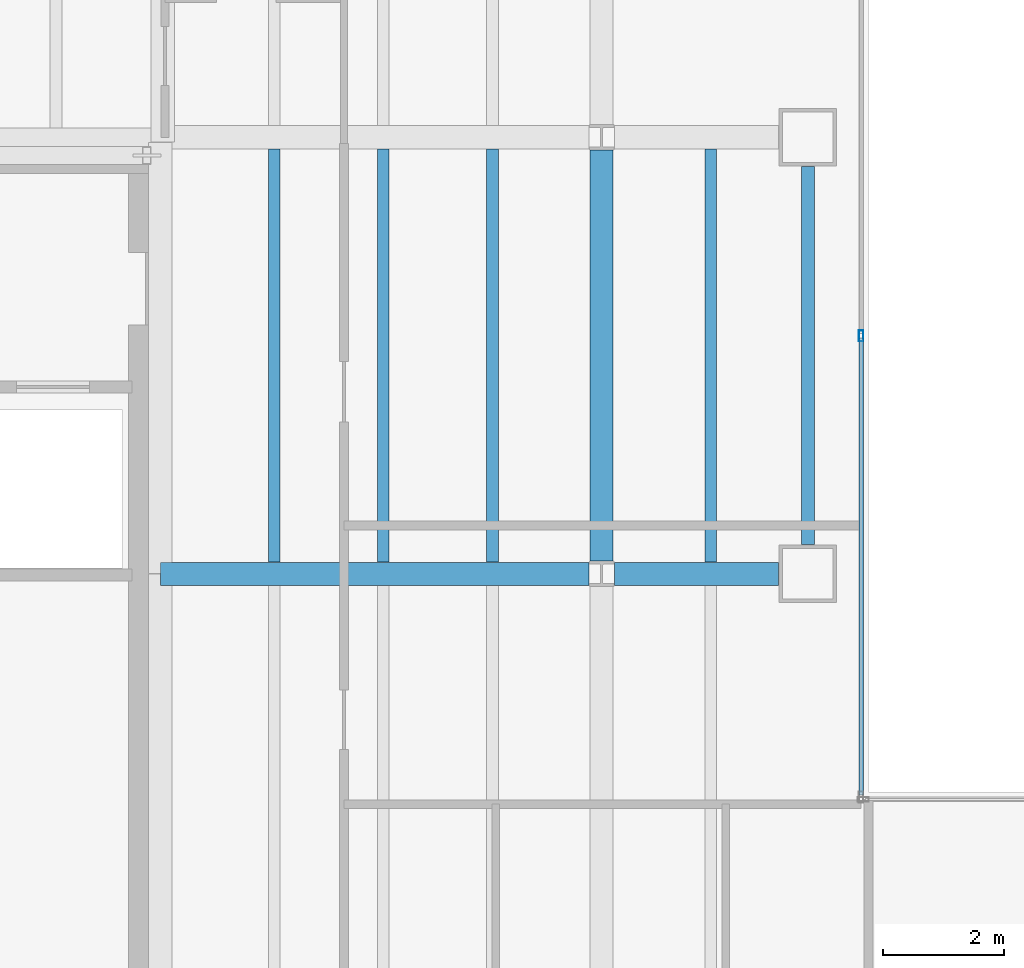
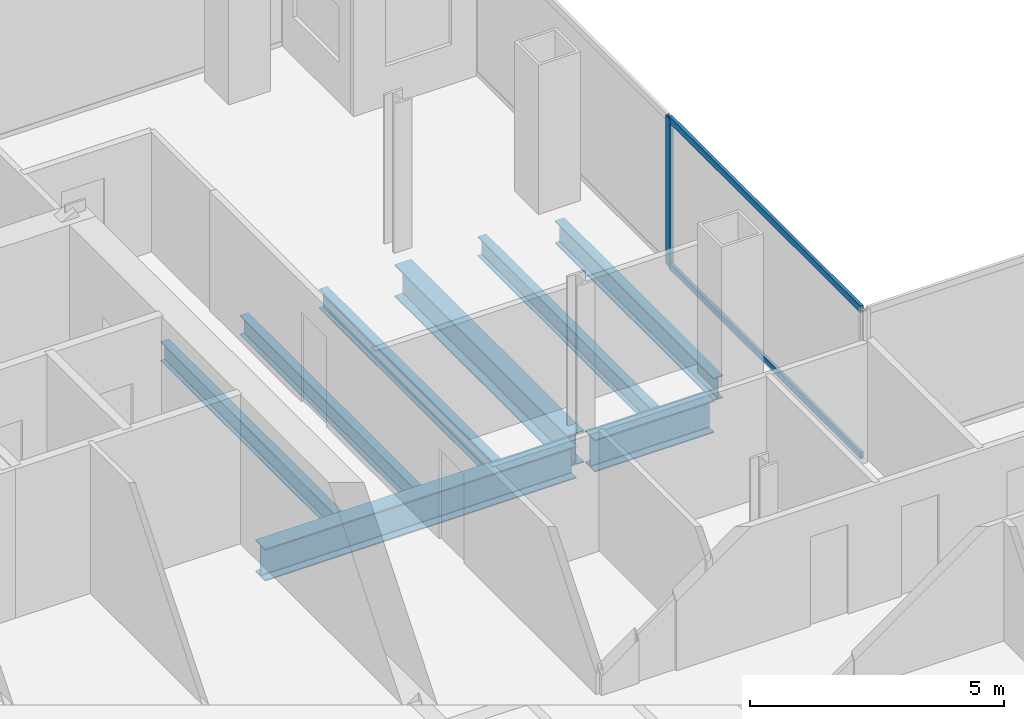
# One storey, part 8 of 23: 8 beams, 3 members, 1 element without a shape of its own.
"""IFC4 building model written with IfcOpenShell, lengths in metres."""

from ifc_helpers import new_model, si_unit, direction, frame, origin, origin_2d, place, context, subcontext, project, spatial, hollow_rectangle, i_section, extrude, material, material_profile, profile_set, type_object, element, aggregate, save


model = new_model("IFC4")

# Units and contexts
model_context = context("Model", 3, precision=1e-05, world=origin(), true_north=direction((0.0, 1.0)))
body_context = subcontext(model_context, "Body", "Model", "MODEL_VIEW")
ifc_project = project(units=[si_unit("LENGTHUNIT", "METRE"), si_unit("AREAUNIT", "SQUARE_METRE"), si_unit("VOLUMEUNIT", "CUBIC_METRE"), si_unit("PLANEANGLEUNIT", "RADIAN"), si_unit("MASSUNIT", "GRAM", prefix="KILO")], contexts=[model_context])

# Site, building, storey
site_placement = place(None, origin())
site = spatial("IfcSite", under=ifc_project, at=site_placement, CompositionType="ELEMENT")
building_placement = place(site_placement, origin())
building = spatial("IfcBuilding", under=site, at=building_placement, Name="Cobrela Telecom Tower", CompositionType="ELEMENT")
storey_placement = place(building_placement, frame((0.0, 0.0, 113.75)))
storey = spatial("IfcBuildingStorey", under=building, at=storey_placement, Name="L28", CompositionType="ELEMENT", Elevation=113.75)

# Beams
ifc_material_1 = material(Name="Steel ASTM A992 Grade 50", Category="steel")
ifc_material_profile_1 = material_profile(ifc_material_1, i_section(OverallWidth=0.381103515625, OverallDepth=0.77197265625, WebThickness=0.0166015625, FlangeThickness=0.027099609375, FilletRadius=0.01904296875, at=origin_2d()), Name="W30X173")
ifc_profile_set_1 = profile_set([ifc_material_profile_1], Name="Steel ASTM A992 Grade 50")
beam_type_1 = type_object("IfcBeamType", Name="BM-GIRD-04", PredefinedType="USERDEFINED", material=ifc_profile_set_1)
beam_1_placement = place(storey_placement, frame((14.324951171875, 28.800048828125, -0.656005859375), z_axis=(1.0, 0.0, 0.0), x_axis=(0.0, 1.0, 0.0)))
element("IfcBeam", 1, at=beam_1_placement, inside=storey, type_object=beam_type_1, Name="L28 Primary Girder X23", ObjectType="GIRDER", PredefinedType="USERDEFINED", context=body_context, shape_type="SweptSolid", body=[
    extrude(i_section(OverallWidth=0.381103515625, OverallDepth=0.77197265625, WebThickness=0.0166015625, FlangeThickness=0.027099609375, FilletRadius=0.01904296875, at=origin_2d()), origin(), (0.0, 0.0, 1.0), 7.0654296875),
])
beam_2_placement = place(storey_placement, frame((21.8095703125, 28.800048828125, -0.656005859375), z_axis=(1.0, 0.0, 0.0), x_axis=(0.0, 1.0, 0.0)))
element("IfcBeam", 2, at=beam_2_placement, inside=storey, type_object=beam_type_1, Name="L28 Primary Girder X24", ObjectType="GIRDER", PredefinedType="USERDEFINED", context=body_context, shape_type="SweptSolid", body=[
    extrude(i_section(OverallWidth=0.381103515625, OverallDepth=0.77197265625, WebThickness=0.0166015625, FlangeThickness=0.027099609375, FilletRadius=0.01904296875, at=origin_2d()), origin(), (0.0, 0.0, 1.0), 2.71044921875),
])
beam_3_placement = place(storey_placement, frame((21.60009765625, 29.009521484375, -0.656005859375), z_axis=(0.0, 1.0, 0.0), x_axis=(-1.0, 0.0, 0.0)))
element("IfcBeam", 3, at=beam_3_placement, inside=storey, type_object=beam_type_1, Name="L28 Primary Girder Y43", ObjectType="GIRDER", PredefinedType="USERDEFINED", context=body_context, shape_type="SweptSolid", body=[
    extrude(i_section(OverallWidth=0.381103515625, OverallDepth=0.77197265625, WebThickness=0.0166015625, FlangeThickness=0.027099609375, FilletRadius=0.01904296875, at=origin_2d()), origin(), (0.0, 0.0, 1.0), 6.781005859375),
])
ifc_material_profile_2 = material_profile(ifc_material_1, i_section(OverallWidth=0.193115234375, OverallDepth=0.467041015625, WebThickness=0.011474609375, FlangeThickness=0.01904296875, FilletRadius=0.012939453125, at=origin_2d()), Name="W18X65")
ifc_profile_set_2 = profile_set([ifc_material_profile_2], Name="Steel ASTM A992 Grade 50")
beam_type_2 = type_object("IfcBeamType", Name="BM-JOIST-03", PredefinedType="JOIST", material=ifc_profile_set_2)
for number, where, z_axis, x_axis, name in (
    (4, (16.199951171875, 28.99560546875, -0.50341796875), (0.0, 1.0, 0.0), (-1.0, 0.0, 0.0), "L28 Secondary Composite Floor Beam J07"),
    (5, (18.0, 28.99560546875, -0.50341796875), (0.0, 1.0, 0.0), (-1.0, 0.0, 0.0), "L28 Secondary Composite Floor Beam J12"),
    (6, (19.800048828125, 28.99560546875, -0.50341796875), (0.0, 1.0, 0.0), (-1.0, 0.0, 0.0), "L28 Secondary Composite Floor Beam J17"),
    (7, (23.39990234375, 28.99560546875, -0.50341796875), (0.0, 1.0, 0.0), (-1.0, 0.0, 0.0), "L28 Secondary Composite Floor Beam J22"),
):
    element("IfcBeam", number, at=place(storey_placement, frame(where, z_axis=z_axis, x_axis=x_axis)), inside=storey, type_object=beam_type_2, Name=name, PredefinedType="JOIST", context=body_context, shape_type="SweptSolid", body=[
        extrude(i_section(OverallWidth=0.193115234375, OverallDepth=0.467041015625, WebThickness=0.011474609375, FlangeThickness=0.01904296875, FilletRadius=0.012939453125, at=origin_2d()), origin(), (0.0, 0.0, 1.0), 6.808837890625),
    ])
ifc_material_profile_3 = material_profile(ifc_material_1, i_section(OverallWidth=0.212890625, OverallDepth=0.549072265625, WebThickness=0.0146484375, FlangeThickness=0.023681640625, FilletRadius=0.013916015625, at=origin_2d()), Name="W21X93")
ifc_profile_set_3 = profile_set([ifc_material_profile_3], Name="Steel ASTM A992 Grade 50")
beam_type_3 = type_object("IfcBeamType", Name="BM-SPAND-03", PredefinedType="SPANDREL", material=ifc_profile_set_3)
beam_4_placement = place(storey_placement, frame((25.0, 29.280029296875, -0.54443359375), z_axis=(0.0, 1.0, 0.0), x_axis=(-1.0, 0.0, 0.0)))
element("IfcBeam", 8, at=beam_4_placement, inside=storey, type_object=beam_type_3, Name="L28 Perimeter Spandrel Y45", PredefinedType="SPANDREL", context=body_context, shape_type="SweptSolid", body=[
    extrude(i_section(OverallWidth=0.212890625, OverallDepth=0.549072265625, WebThickness=0.0146484375, FlangeThickness=0.023681640625, FilletRadius=0.013916015625, at=origin_2d()), origin(), (0.0, 0.0, 1.0), 6.239990234375),
])

# Curtain wall, members
ifc_material_2 = material(Name="Anodized Bronze Aluminium 6063-T6", Category="aluminium")
curtain_wall_type = type_object("IfcCurtainWallType", Name="CW-SYS-TEL", PredefinedType="USERDEFINED", material=ifc_material_2)
curtain_wall_placement = place(storey_placement, origin())
curtain_wall = element("IfcCurtainWall", 9, at=curtain_wall_placement, inside=storey, type_object=curtain_wall_type, Name="L28 Unitised Bronze Curtain Wall 10", ObjectType="UNITISED CURTAIN WALL", PredefinedType="USERDEFINED")
ifc_material_profile_4 = material_profile(ifc_material_2, hollow_rectangle(XDim=0.074951171875, YDim=0.179931640625, WallThickness=0.00390625, at=origin_2d()), Name="ALU 75x180x4")
ifc_profile_set_4 = profile_set([ifc_material_profile_4], Name="Anodized Bronze Aluminium 6063-T6")
member_type_1 = type_object("IfcMemberType", Name="CW-SYS-TEL-MUL", PredefinedType="MULLION", material=ifc_profile_set_4)
member_1_placement = place(storey_placement, frame((25.8798828125, 32.72509765625, 0.0), z_axis=(0.0, 0.0, 1.0), x_axis=(1.0, 0.0, 0.0)))
member_1 = element("IfcMember", 10, at=member_1_placement, type_object=member_type_1, Name="CW-TEL mullion 2", PredefinedType="MULLION", context=body_context, shape_type="SweptSolid", body=[
    extrude(hollow_rectangle(XDim=0.074951171875, YDim=0.179931640625, WallThickness=0.00390625, at=origin_2d()), origin(), (0.0, 0.0, 1.0), 3.580078125),
])
ifc_material_profile_5 = material_profile(ifc_material_2, hollow_rectangle(XDim=0.070068359375, YDim=0.159912109375, WallThickness=0.00390625, at=origin_2d()), Name="ALU 70x160x4")
ifc_profile_set_5 = profile_set([ifc_material_profile_5], Name="Anodized Bronze Aluminium 6063-T6")
member_type_2 = type_object("IfcMemberType", Name="CW-SYS-TEL-TRN", PredefinedType="USERDEFINED", material=ifc_profile_set_5)
member_2_placement = place(storey_placement, frame((25.8798828125, 32.6875, 0.034912109375), z_axis=(0.0, -1.0, 0.0), x_axis=(1.0, 0.0, 0.0)))
member_2 = element("IfcMember", 11, at=member_2_placement, type_object=member_type_2, Name="CW-TEL transom 2.1", ObjectType="TRANSOM", PredefinedType="USERDEFINED", context=body_context, shape_type="SweptSolid", body=[
    extrude(hollow_rectangle(XDim=0.070068359375, YDim=0.159912109375, WallThickness=0.00390625, at=origin_2d()), origin(), (0.0, 0.0, 1.0), 7.532470703125),
])
member_3_placement = place(storey_placement, frame((25.8798828125, 32.6875, 3.544921875), z_axis=(0.0, -1.0, 0.0), x_axis=(1.0, 0.0, 0.0)))
member_3 = element("IfcMember", 12, at=member_3_placement, type_object=member_type_2, Name="CW-TEL transom 2.2", ObjectType="TRANSOM", PredefinedType="USERDEFINED", context=body_context, shape_type="SweptSolid", body=[
    extrude(hollow_rectangle(XDim=0.070068359375, YDim=0.159912109375, WallThickness=0.00390625, at=origin_2d()), origin(), (0.0, 0.0, 1.0), 7.532470703125),
])
aggregate(curtain_wall, [member_1, member_2, member_3])

save(model, "model.ifc")
